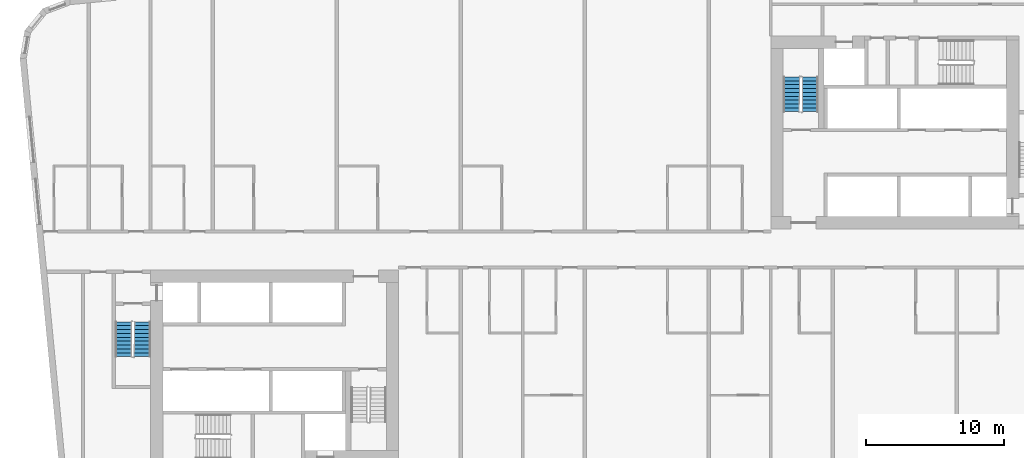
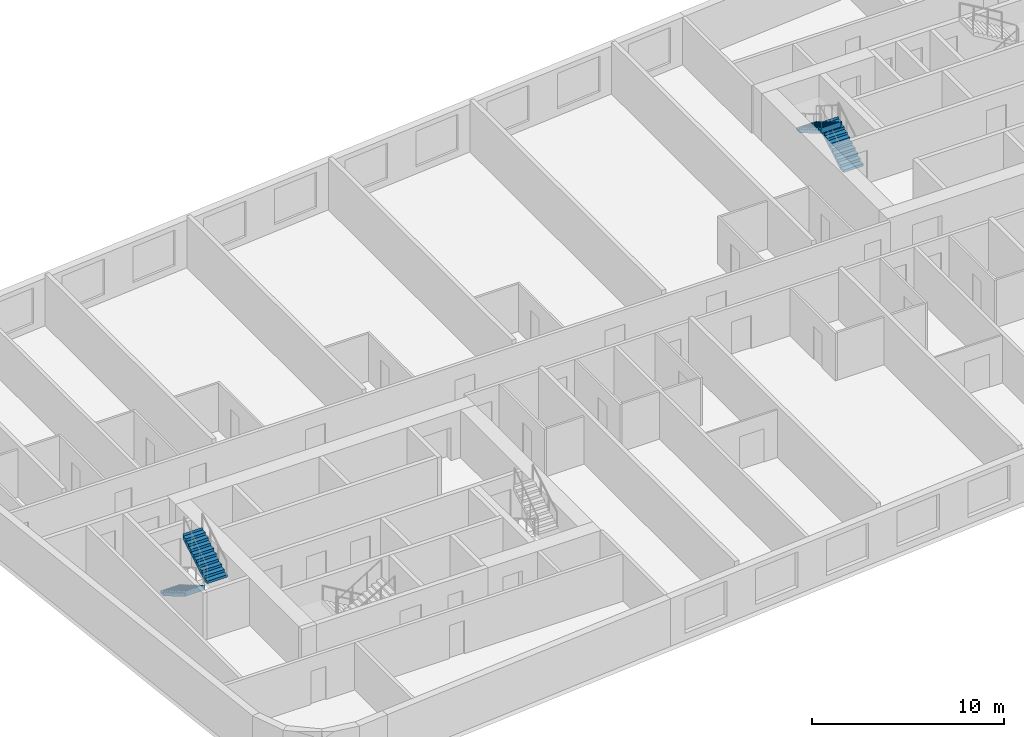
# One storey, part 10 of 12: 4 stair flights, 2 elements without a shape of their own.
"""IFC4 building model written with IfcOpenShell, lengths in metres."""

from ifc_helpers import new_model, si_unit, direction, frame, origin, place, context, subcontext, project, spatial, faceted_brep, material, type_object, element, aggregate, save


model = new_model("IFC4")

# Units and contexts
model_context = context("Model", 3, precision=1e-05, world=origin(), true_north=direction((0.0, 1.0)))
body_context = subcontext(model_context, "Body", "Model", "MODEL_VIEW")
ifc_project = project(units=[si_unit("LENGTHUNIT", "METRE"), si_unit("AREAUNIT", "SQUARE_METRE"), si_unit("VOLUMEUNIT", "CUBIC_METRE"), si_unit("PLANEANGLEUNIT", "RADIAN"), si_unit("MASSUNIT", "GRAM", prefix="KILO")], contexts=[model_context])

# Site, building, storey
site_placement = place(None, origin())
site = spatial("IfcSite", under=ifc_project, at=site_placement, CompositionType="ELEMENT")
building_placement = place(site_placement, origin())
building = spatial("IfcBuilding", under=site, at=building_placement, Name="Kajstack Hotel Tower", CompositionType="ELEMENT")
storey_placement = place(building_placement, frame((0.0, 0.0, 117.39990234375)))
storey = spatial("IfcBuildingStorey", under=building, at=storey_placement, Name="L25", CompositionType="ELEMENT", Elevation=117.39990234375)

# Stair, stair flights
ifc_material = material(Name="Concrete C40/50", Category="concrete")
stair_type = type_object("IfcStairType", Name="Exit stair 1200", PredefinedType="HALF_TURN_STAIR", material=ifc_material)
stair_1_placement = place(storey_placement, origin())
stair_1 = element("IfcStair", 1, at=stair_1_placement, inside=storey, type_object=stair_type, Name="L25 stair W1", PredefinedType="HALF_TURN_STAIR")
stair_flight_type = type_object("IfcStairFlightType", Name="Exit stair flight 1200", PredefinedType="STRAIGHT", material=ifc_material)
stair_flight_1_placement = place(storey_placement, frame((-33.449951171875, -5.25, 0.0), z_axis=(0.0, 0.0, 1.0), x_axis=(0.0, -1.0, 0.0)))
stair_flight_1 = element("IfcStairFlight", 2, at=stair_flight_1_placement, type_object=stair_flight_type, Name="W1 flight 1", NumberOfRisers=10, NumberOfTreads=9, PredefinedType="STRAIGHT", RiserHeight=0.165, TreadLength=0.28, context=body_context, shape_type="Brep", body=[
    faceted_brep([(0.295654296875, -0.60009765625, 0.0), (2.5205078125, -0.60009765625, 1.31103515625), (2.5205078125, -0.60009765625, 1.64990234375), (2.52001953125, -0.60009765625, 1.64990234375), (2.52001953125, -0.60009765625, 1.485107421875), (2.239990234375, -0.60009765625, 1.485107421875), (2.239990234375, -0.60009765625, 1.320068359375), (1.9599609375, -0.60009765625, 1.320068359375), (1.9599609375, -0.60009765625, 1.155029296875), (1.679931640625, -0.60009765625, 1.155029296875), (1.679931640625, -0.60009765625, 0.989990234375), (1.39990234375, -0.60009765625, 0.989990234375), (1.39990234375, -0.60009765625, 0.824951171875), (1.1201171875, -0.60009765625, 0.824951171875), (1.1201171875, -0.60009765625, 0.659912109375), (0.840087890625, -0.60009765625, 0.659912109375), (0.840087890625, -0.60009765625, 0.4951171875), (0.56005859375, -0.60009765625, 0.4951171875), (0.56005859375, -0.60009765625, 0.330078125), (0.280029296875, -0.60009765625, 0.330078125), (0.280029296875, -0.60009765625, 0.1650390625), (-0.00048828125, -0.60009765625, 0.1650390625), (-0.00048828125, -0.60009765625, 0.0), (-0.00048828125, 0.60009765625, 0.0), (-0.00048828125, 0.60009765625, 0.1650390625), (0.280029296875, 0.60009765625, 0.1650390625), (0.280029296875, 0.60009765625, 0.330078125), (0.56005859375, 0.60009765625, 0.330078125), (0.56005859375, 0.60009765625, 0.4951171875), (0.840087890625, 0.60009765625, 0.4951171875), (0.840087890625, 0.60009765625, 0.659912109375), (1.1201171875, 0.60009765625, 0.659912109375), (1.1201171875, 0.60009765625, 0.824951171875), (1.39990234375, 0.60009765625, 0.824951171875), (1.39990234375, 0.60009765625, 0.989990234375), (1.679931640625, 0.60009765625, 0.989990234375), (1.679931640625, 0.60009765625, 1.155029296875), (1.9599609375, 0.60009765625, 1.155029296875), (1.9599609375, 0.60009765625, 1.320068359375), (2.239990234375, 0.60009765625, 1.320068359375), (2.239990234375, 0.60009765625, 1.485107421875), (2.52001953125, 0.60009765625, 1.485107421875), (2.52001953125, 0.60009765625, 1.64990234375), (2.5205078125, 0.60009765625, 1.64990234375), (2.5205078125, 0.60009765625, 1.31103515625), (0.295654296875, 0.60009765625, 0.0), (-0.00048828125, -0.300048828125, 0.1650390625), (-0.00048828125, 0.0, 0.1650390625), (-0.00048828125, 0.300048828125, 0.1650390625), (-0.00048828125, 0.300048828125, 0.0), (-0.00048828125, 0.0, 0.0), (-0.00048828125, -0.300048828125, 0.0), (0.280029296875, -0.300048828125, 0.1650390625), (0.280029296875, 0.0, 0.1650390625), (0.280029296875, 0.300048828125, 0.1650390625), (0.280029296875, -0.300048828125, 0.330078125), (0.280029296875, 0.0, 0.330078125), (0.280029296875, 0.300048828125, 0.330078125), (0.56005859375, -0.300048828125, 0.330078125), (0.56005859375, 0.0, 0.330078125), (0.56005859375, 0.300048828125, 0.330078125), (0.56005859375, -0.300048828125, 0.4951171875), (0.56005859375, 0.0, 0.4951171875), (0.56005859375, 0.300048828125, 0.4951171875), (0.840087890625, -0.300048828125, 0.4951171875), (0.840087890625, 0.0, 0.4951171875), (0.840087890625, 0.300048828125, 0.4951171875), (0.840087890625, -0.300048828125, 0.659912109375), (0.840087890625, 0.0, 0.659912109375), (0.840087890625, 0.300048828125, 0.659912109375), (1.1201171875, -0.300048828125, 0.659912109375), (1.1201171875, 0.0, 0.659912109375), (1.1201171875, 0.300048828125, 0.659912109375), (1.1201171875, -0.300048828125, 0.824951171875), (1.1201171875, 0.0, 0.824951171875), (1.1201171875, 0.300048828125, 0.824951171875), (1.39990234375, -0.300048828125, 0.824951171875), (1.39990234375, 0.0, 0.824951171875), (1.39990234375, 0.300048828125, 0.824951171875), (1.39990234375, -0.300048828125, 0.989990234375), (1.39990234375, 0.0, 0.989990234375), (1.39990234375, 0.300048828125, 0.989990234375), (1.679931640625, -0.300048828125, 0.989990234375), (1.679931640625, 0.0, 0.989990234375), (1.679931640625, 0.300048828125, 0.989990234375), (1.679931640625, -0.300048828125, 1.155029296875), (1.679931640625, 0.0, 1.155029296875), (1.679931640625, 0.300048828125, 1.155029296875), (1.9599609375, -0.300048828125, 1.155029296875), (1.9599609375, 0.0, 1.155029296875), (1.9599609375, 0.300048828125, 1.155029296875), (1.9599609375, -0.300048828125, 1.320068359375), (1.9599609375, 0.0, 1.320068359375), (1.9599609375, 0.300048828125, 1.320068359375), (2.239990234375, -0.300048828125, 1.320068359375), (2.239990234375, 0.0, 1.320068359375), (2.239990234375, 0.300048828125, 1.320068359375), (2.239990234375, -0.300048828125, 1.485107421875), (2.239990234375, 0.0, 1.485107421875), (2.239990234375, 0.300048828125, 1.485107421875), (2.52001953125, -0.300048828125, 1.485107421875), (2.52001953125, 0.0, 1.485107421875), (2.52001953125, 0.300048828125, 1.485107421875), (2.52001953125, -0.300048828125, 1.64990234375), (2.52001953125, 0.0, 1.64990234375), (2.52001953125, 0.300048828125, 1.64990234375), (2.5205078125, -0.300048828125, 1.64990234375), (2.5205078125, 0.0, 1.64990234375), (2.5205078125, 0.300048828125, 1.64990234375), (2.5205078125, -0.300048828125, 1.31103515625), (2.5205078125, 0.0, 1.31103515625), (2.5205078125, 0.300048828125, 1.31103515625), (0.295654296875, -0.300048828125, 0.0), (0.295654296875, 0.0, 0.0), (0.295654296875, 0.300048828125, 0.0)], [[[0, 1, 2, 3, 4, 5, 6, 7, 8, 9, 10, 11, 12, 13, 14, 15, 16, 17, 18, 19, 20, 21, 22]], [[23, 24, 25, 26, 27, 28, 29, 30, 31, 32, 33, 34, 35, 36, 37, 38, 39, 40, 41, 42, 43, 44, 45]], [[21, 46, 47, 48, 24, 23, 49, 50, 51, 22]], [[20, 52, 53, 54, 25, 24, 48, 47, 46, 21]], [[19, 55, 56, 57, 26, 25, 54, 53, 52, 20]], [[18, 58, 59, 60, 27, 26, 57, 56, 55, 19]], [[17, 61, 62, 63, 28, 27, 60, 59, 58, 18]], [[16, 64, 65, 66, 29, 28, 63, 62, 61, 17]], [[15, 67, 68, 69, 30, 29, 66, 65, 64, 16]], [[14, 70, 71, 72, 31, 30, 69, 68, 67, 15]], [[13, 73, 74, 75, 32, 31, 72, 71, 70, 14]], [[12, 76, 77, 78, 33, 32, 75, 74, 73, 13]], [[11, 79, 80, 81, 34, 33, 78, 77, 76, 12]], [[10, 82, 83, 84, 35, 34, 81, 80, 79, 11]], [[9, 85, 86, 87, 36, 35, 84, 83, 82, 10]], [[8, 88, 89, 90, 37, 36, 87, 86, 85, 9]], [[7, 91, 92, 93, 38, 37, 90, 89, 88, 8]], [[6, 94, 95, 96, 39, 38, 93, 92, 91, 7]], [[5, 97, 98, 99, 40, 39, 96, 95, 94, 6]], [[4, 100, 101, 102, 41, 40, 99, 98, 97, 5]], [[3, 103, 104, 105, 42, 41, 102, 101, 100, 4]], [[2, 106, 107, 108, 43, 42, 105, 104, 103, 3]], [[1, 109, 110, 111, 44, 43, 108, 107, 106, 2]], [[0, 112, 113, 114, 45, 44, 111, 110, 109, 1]], [[22, 51, 50, 49, 23, 45, 114, 113, 112, 0]]]),
])
stair_flight_2_placement = place(storey_placement, frame((-32.10009765625, -7.77001953125, 1.650146484375), z_axis=(0.0, 0.0, 1.0), x_axis=(0.0, 1.0, 0.0)))
stair_flight_2 = element("IfcStairFlight", 3, at=stair_flight_2_placement, type_object=stair_flight_type, Name="W1 flight 2", NumberOfRisers=10, NumberOfTreads=9, PredefinedType="STRAIGHT", RiserHeight=0.165, TreadLength=0.28, context=body_context, shape_type="Brep", body=[
    faceted_brep([(0.295654296875, -0.60009765625, 0.0), (2.5205078125, -0.60009765625, 1.31103515625), (2.5205078125, -0.60009765625, 1.64990234375), (2.52001953125, -0.60009765625, 1.64990234375), (2.52001953125, -0.60009765625, 1.485107421875), (2.239990234375, -0.60009765625, 1.485107421875), (2.239990234375, -0.60009765625, 1.320068359375), (1.9599609375, -0.60009765625, 1.320068359375), (1.9599609375, -0.60009765625, 1.155029296875), (1.679931640625, -0.60009765625, 1.155029296875), (1.679931640625, -0.60009765625, 0.989990234375), (1.39990234375, -0.60009765625, 0.989990234375), (1.39990234375, -0.60009765625, 0.824951171875), (1.1201171875, -0.60009765625, 0.824951171875), (1.1201171875, -0.60009765625, 0.659912109375), (0.840087890625, -0.60009765625, 0.659912109375), (0.840087890625, -0.60009765625, 0.4951171875), (0.56005859375, -0.60009765625, 0.4951171875), (0.56005859375, -0.60009765625, 0.330078125), (0.280029296875, -0.60009765625, 0.330078125), (0.280029296875, -0.60009765625, 0.1650390625), (-0.00048828125, -0.60009765625, 0.1650390625), (-0.00048828125, -0.60009765625, 0.0), (-0.00048828125, 0.60009765625, 0.0), (-0.00048828125, 0.60009765625, 0.1650390625), (0.280029296875, 0.60009765625, 0.1650390625), (0.280029296875, 0.60009765625, 0.330078125), (0.56005859375, 0.60009765625, 0.330078125), (0.56005859375, 0.60009765625, 0.4951171875), (0.840087890625, 0.60009765625, 0.4951171875), (0.840087890625, 0.60009765625, 0.659912109375), (1.1201171875, 0.60009765625, 0.659912109375), (1.1201171875, 0.60009765625, 0.824951171875), (1.39990234375, 0.60009765625, 0.824951171875), (1.39990234375, 0.60009765625, 0.989990234375), (1.679931640625, 0.60009765625, 0.989990234375), (1.679931640625, 0.60009765625, 1.155029296875), (1.9599609375, 0.60009765625, 1.155029296875), (1.9599609375, 0.60009765625, 1.320068359375), (2.239990234375, 0.60009765625, 1.320068359375), (2.239990234375, 0.60009765625, 1.485107421875), (2.52001953125, 0.60009765625, 1.485107421875), (2.52001953125, 0.60009765625, 1.64990234375), (2.5205078125, 0.60009765625, 1.64990234375), (2.5205078125, 0.60009765625, 1.31103515625), (0.295654296875, 0.60009765625, 0.0), (-0.00048828125, -0.300048828125, 0.1650390625), (-0.00048828125, 0.0, 0.1650390625), (-0.00048828125, 0.300048828125, 0.1650390625), (-0.00048828125, 0.300048828125, 0.0), (-0.00048828125, 0.0, 0.0), (-0.00048828125, -0.300048828125, 0.0), (0.280029296875, -0.300048828125, 0.1650390625), (0.280029296875, 0.0, 0.1650390625), (0.280029296875, 0.300048828125, 0.1650390625), (0.280029296875, -0.300048828125, 0.330078125), (0.280029296875, 0.0, 0.330078125), (0.280029296875, 0.300048828125, 0.330078125), (0.56005859375, -0.300048828125, 0.330078125), (0.56005859375, 0.0, 0.330078125), (0.56005859375, 0.300048828125, 0.330078125), (0.56005859375, -0.300048828125, 0.4951171875), (0.56005859375, 0.0, 0.4951171875), (0.56005859375, 0.300048828125, 0.4951171875), (0.840087890625, -0.300048828125, 0.4951171875), (0.840087890625, 0.0, 0.4951171875), (0.840087890625, 0.300048828125, 0.4951171875), (0.840087890625, -0.300048828125, 0.659912109375), (0.840087890625, 0.0, 0.659912109375), (0.840087890625, 0.300048828125, 0.659912109375), (1.1201171875, -0.300048828125, 0.659912109375), (1.1201171875, 0.0, 0.659912109375), (1.1201171875, 0.300048828125, 0.659912109375), (1.1201171875, -0.300048828125, 0.824951171875), (1.1201171875, 0.0, 0.824951171875), (1.1201171875, 0.300048828125, 0.824951171875), (1.39990234375, -0.300048828125, 0.824951171875), (1.39990234375, 0.0, 0.824951171875), (1.39990234375, 0.300048828125, 0.824951171875), (1.39990234375, -0.300048828125, 0.989990234375), (1.39990234375, 0.0, 0.989990234375), (1.39990234375, 0.300048828125, 0.989990234375), (1.679931640625, -0.300048828125, 0.989990234375), (1.679931640625, 0.0, 0.989990234375), (1.679931640625, 0.300048828125, 0.989990234375), (1.679931640625, -0.300048828125, 1.155029296875), (1.679931640625, 0.0, 1.155029296875), (1.679931640625, 0.300048828125, 1.155029296875), (1.9599609375, -0.300048828125, 1.155029296875), (1.9599609375, 0.0, 1.155029296875), (1.9599609375, 0.300048828125, 1.155029296875), (1.9599609375, -0.300048828125, 1.320068359375), (1.9599609375, 0.0, 1.320068359375), (1.9599609375, 0.300048828125, 1.320068359375), (2.239990234375, -0.300048828125, 1.320068359375), (2.239990234375, 0.0, 1.320068359375), (2.239990234375, 0.300048828125, 1.320068359375), (2.239990234375, -0.300048828125, 1.485107421875), (2.239990234375, 0.0, 1.485107421875), (2.239990234375, 0.300048828125, 1.485107421875), (2.52001953125, -0.300048828125, 1.485107421875), (2.52001953125, 0.0, 1.485107421875), (2.52001953125, 0.300048828125, 1.485107421875), (2.52001953125, -0.300048828125, 1.64990234375), (2.52001953125, 0.0, 1.64990234375), (2.52001953125, 0.300048828125, 1.64990234375), (2.5205078125, -0.300048828125, 1.64990234375), (2.5205078125, 0.0, 1.64990234375), (2.5205078125, 0.300048828125, 1.64990234375), (2.5205078125, -0.300048828125, 1.31103515625), (2.5205078125, 0.0, 1.31103515625), (2.5205078125, 0.300048828125, 1.31103515625), (0.295654296875, -0.300048828125, 0.0), (0.295654296875, 0.0, 0.0), (0.295654296875, 0.300048828125, 0.0)], [[[0, 1, 2, 3, 4, 5, 6, 7, 8, 9, 10, 11, 12, 13, 14, 15, 16, 17, 18, 19, 20, 21, 22]], [[23, 24, 25, 26, 27, 28, 29, 30, 31, 32, 33, 34, 35, 36, 37, 38, 39, 40, 41, 42, 43, 44, 45]], [[21, 46, 47, 48, 24, 23, 49, 50, 51, 22]], [[20, 52, 53, 54, 25, 24, 48, 47, 46, 21]], [[19, 55, 56, 57, 26, 25, 54, 53, 52, 20]], [[18, 58, 59, 60, 27, 26, 57, 56, 55, 19]], [[17, 61, 62, 63, 28, 27, 60, 59, 58, 18]], [[16, 64, 65, 66, 29, 28, 63, 62, 61, 17]], [[15, 67, 68, 69, 30, 29, 66, 65, 64, 16]], [[14, 70, 71, 72, 31, 30, 69, 68, 67, 15]], [[13, 73, 74, 75, 32, 31, 72, 71, 70, 14]], [[12, 76, 77, 78, 33, 32, 75, 74, 73, 13]], [[11, 79, 80, 81, 34, 33, 78, 77, 76, 12]], [[10, 82, 83, 84, 35, 34, 81, 80, 79, 11]], [[9, 85, 86, 87, 36, 35, 84, 83, 82, 10]], [[8, 88, 89, 90, 37, 36, 87, 86, 85, 9]], [[7, 91, 92, 93, 38, 37, 90, 89, 88, 8]], [[6, 94, 95, 96, 39, 38, 93, 92, 91, 7]], [[5, 97, 98, 99, 40, 39, 96, 95, 94, 6]], [[4, 100, 101, 102, 41, 40, 99, 98, 97, 5]], [[3, 103, 104, 105, 42, 41, 102, 101, 100, 4]], [[2, 106, 107, 108, 43, 42, 105, 104, 103, 3]], [[1, 109, 110, 111, 44, 43, 108, 107, 106, 2]], [[0, 112, 113, 114, 45, 44, 111, 110, 109, 1]], [[22, 51, 50, 49, 23, 45, 114, 113, 112, 0]]]),
])
aggregate(stair_1, [stair_flight_1, stair_flight_2])

stair_2_placement = place(storey_placement, origin())
stair_2 = element("IfcStair", 4, at=stair_2_placement, inside=storey, type_object=stair_type, Name="L25 stair E2", PredefinedType="HALF_TURN_STAIR")
stair_flight_3_placement = place(storey_placement, frame((16.35009765625, 10.0, 0.0), z_axis=(0.0, 0.0, 1.0), x_axis=(0.0, 1.0, 0.0)))
stair_flight_3 = element("IfcStairFlight", 5, at=stair_flight_3_placement, type_object=stair_flight_type, Name="E2 flight 1", NumberOfRisers=10, NumberOfTreads=9, PredefinedType="STRAIGHT", RiserHeight=0.165, TreadLength=0.28, context=body_context, shape_type="Brep", body=[
    faceted_brep([(0.295654296875, -0.60009765625, 0.0), (2.5205078125, -0.60009765625, 1.31103515625), (2.5205078125, -0.60009765625, 1.64990234375), (2.52001953125, -0.60009765625, 1.64990234375), (2.52001953125, -0.60009765625, 1.485107421875), (2.239990234375, -0.60009765625, 1.485107421875), (2.239990234375, -0.60009765625, 1.320068359375), (1.9599609375, -0.60009765625, 1.320068359375), (1.9599609375, -0.60009765625, 1.155029296875), (1.679931640625, -0.60009765625, 1.155029296875), (1.679931640625, -0.60009765625, 0.989990234375), (1.39990234375, -0.60009765625, 0.989990234375), (1.39990234375, -0.60009765625, 0.824951171875), (1.1201171875, -0.60009765625, 0.824951171875), (1.1201171875, -0.60009765625, 0.659912109375), (0.840087890625, -0.60009765625, 0.659912109375), (0.840087890625, -0.60009765625, 0.4951171875), (0.56005859375, -0.60009765625, 0.4951171875), (0.56005859375, -0.60009765625, 0.330078125), (0.280029296875, -0.60009765625, 0.330078125), (0.280029296875, -0.60009765625, 0.1650390625), (-0.00048828125, -0.60009765625, 0.1650390625), (-0.00048828125, -0.60009765625, 0.0), (-0.00048828125, 0.60009765625, 0.0), (-0.00048828125, 0.60009765625, 0.1650390625), (0.280029296875, 0.60009765625, 0.1650390625), (0.280029296875, 0.60009765625, 0.330078125), (0.56005859375, 0.60009765625, 0.330078125), (0.56005859375, 0.60009765625, 0.4951171875), (0.840087890625, 0.60009765625, 0.4951171875), (0.840087890625, 0.60009765625, 0.659912109375), (1.1201171875, 0.60009765625, 0.659912109375), (1.1201171875, 0.60009765625, 0.824951171875), (1.39990234375, 0.60009765625, 0.824951171875), (1.39990234375, 0.60009765625, 0.989990234375), (1.679931640625, 0.60009765625, 0.989990234375), (1.679931640625, 0.60009765625, 1.155029296875), (1.9599609375, 0.60009765625, 1.155029296875), (1.9599609375, 0.60009765625, 1.320068359375), (2.239990234375, 0.60009765625, 1.320068359375), (2.239990234375, 0.60009765625, 1.485107421875), (2.52001953125, 0.60009765625, 1.485107421875), (2.52001953125, 0.60009765625, 1.64990234375), (2.5205078125, 0.60009765625, 1.64990234375), (2.5205078125, 0.60009765625, 1.31103515625), (0.295654296875, 0.60009765625, 0.0), (-0.00048828125, -0.300048828125, 0.1650390625), (-0.00048828125, 0.0, 0.1650390625), (-0.00048828125, 0.300048828125, 0.1650390625), (-0.00048828125, 0.300048828125, 0.0), (-0.00048828125, 0.0, 0.0), (-0.00048828125, -0.300048828125, 0.0), (0.280029296875, -0.300048828125, 0.1650390625), (0.280029296875, 0.0, 0.1650390625), (0.280029296875, 0.300048828125, 0.1650390625), (0.280029296875, -0.300048828125, 0.330078125), (0.280029296875, 0.0, 0.330078125), (0.280029296875, 0.300048828125, 0.330078125), (0.56005859375, -0.300048828125, 0.330078125), (0.56005859375, 0.0, 0.330078125), (0.56005859375, 0.300048828125, 0.330078125), (0.56005859375, -0.300048828125, 0.4951171875), (0.56005859375, 0.0, 0.4951171875), (0.56005859375, 0.300048828125, 0.4951171875), (0.840087890625, -0.300048828125, 0.4951171875), (0.840087890625, 0.0, 0.4951171875), (0.840087890625, 0.300048828125, 0.4951171875), (0.840087890625, -0.300048828125, 0.659912109375), (0.840087890625, 0.0, 0.659912109375), (0.840087890625, 0.300048828125, 0.659912109375), (1.1201171875, -0.300048828125, 0.659912109375), (1.1201171875, 0.0, 0.659912109375), (1.1201171875, 0.300048828125, 0.659912109375), (1.1201171875, -0.300048828125, 0.824951171875), (1.1201171875, 0.0, 0.824951171875), (1.1201171875, 0.300048828125, 0.824951171875), (1.39990234375, -0.300048828125, 0.824951171875), (1.39990234375, 0.0, 0.824951171875), (1.39990234375, 0.300048828125, 0.824951171875), (1.39990234375, -0.300048828125, 0.989990234375), (1.39990234375, 0.0, 0.989990234375), (1.39990234375, 0.300048828125, 0.989990234375), (1.679931640625, -0.300048828125, 0.989990234375), (1.679931640625, 0.0, 0.989990234375), (1.679931640625, 0.300048828125, 0.989990234375), (1.679931640625, -0.300048828125, 1.155029296875), (1.679931640625, 0.0, 1.155029296875), (1.679931640625, 0.300048828125, 1.155029296875), (1.9599609375, -0.300048828125, 1.155029296875), (1.9599609375, 0.0, 1.155029296875), (1.9599609375, 0.300048828125, 1.155029296875), (1.9599609375, -0.300048828125, 1.320068359375), (1.9599609375, 0.0, 1.320068359375), (1.9599609375, 0.300048828125, 1.320068359375), (2.239990234375, -0.300048828125, 1.320068359375), (2.239990234375, 0.0, 1.320068359375), (2.239990234375, 0.300048828125, 1.320068359375), (2.239990234375, -0.300048828125, 1.485107421875), (2.239990234375, 0.0, 1.485107421875), (2.239990234375, 0.300048828125, 1.485107421875), (2.52001953125, -0.300048828125, 1.485107421875), (2.52001953125, 0.0, 1.485107421875), (2.52001953125, 0.300048828125, 1.485107421875), (2.52001953125, -0.300048828125, 1.64990234375), (2.52001953125, 0.0, 1.64990234375), (2.52001953125, 0.300048828125, 1.64990234375), (2.5205078125, -0.300048828125, 1.64990234375), (2.5205078125, 0.0, 1.64990234375), (2.5205078125, 0.300048828125, 1.64990234375), (2.5205078125, -0.300048828125, 1.31103515625), (2.5205078125, 0.0, 1.31103515625), (2.5205078125, 0.300048828125, 1.31103515625), (0.295654296875, -0.300048828125, 0.0), (0.295654296875, 0.0, 0.0), (0.295654296875, 0.300048828125, 0.0)], [[[0, 1, 2, 3, 4, 5, 6, 7, 8, 9, 10, 11, 12, 13, 14, 15, 16, 17, 18, 19, 20, 21, 22]], [[23, 24, 25, 26, 27, 28, 29, 30, 31, 32, 33, 34, 35, 36, 37, 38, 39, 40, 41, 42, 43, 44, 45]], [[21, 46, 47, 48, 24, 23, 49, 50, 51, 22]], [[20, 52, 53, 54, 25, 24, 48, 47, 46, 21]], [[19, 55, 56, 57, 26, 25, 54, 53, 52, 20]], [[18, 58, 59, 60, 27, 26, 57, 56, 55, 19]], [[17, 61, 62, 63, 28, 27, 60, 59, 58, 18]], [[16, 64, 65, 66, 29, 28, 63, 62, 61, 17]], [[15, 67, 68, 69, 30, 29, 66, 65, 64, 16]], [[14, 70, 71, 72, 31, 30, 69, 68, 67, 15]], [[13, 73, 74, 75, 32, 31, 72, 71, 70, 14]], [[12, 76, 77, 78, 33, 32, 75, 74, 73, 13]], [[11, 79, 80, 81, 34, 33, 78, 77, 76, 12]], [[10, 82, 83, 84, 35, 34, 81, 80, 79, 11]], [[9, 85, 86, 87, 36, 35, 84, 83, 82, 10]], [[8, 88, 89, 90, 37, 36, 87, 86, 85, 9]], [[7, 91, 92, 93, 38, 37, 90, 89, 88, 8]], [[6, 94, 95, 96, 39, 38, 93, 92, 91, 7]], [[5, 97, 98, 99, 40, 39, 96, 95, 94, 6]], [[4, 100, 101, 102, 41, 40, 99, 98, 97, 5]], [[3, 103, 104, 105, 42, 41, 102, 101, 100, 4]], [[2, 106, 107, 108, 43, 42, 105, 104, 103, 3]], [[1, 109, 110, 111, 44, 43, 108, 107, 106, 2]], [[0, 112, 113, 114, 45, 44, 111, 110, 109, 1]], [[22, 51, 50, 49, 23, 45, 114, 113, 112, 0]]]),
])
stair_flight_4_placement = place(storey_placement, frame((15.0, 12.52001953125, 1.650146484375), z_axis=(0.0, 0.0, 1.0), x_axis=(0.0, -1.0, 0.0)))
stair_flight_4 = element("IfcStairFlight", 6, at=stair_flight_4_placement, type_object=stair_flight_type, Name="E2 flight 2", NumberOfRisers=10, NumberOfTreads=9, PredefinedType="STRAIGHT", RiserHeight=0.165, TreadLength=0.28, context=body_context, shape_type="Brep", body=[
    faceted_brep([(0.295654296875, -0.60009765625, 0.0), (2.5205078125, -0.60009765625, 1.31103515625), (2.5205078125, -0.60009765625, 1.64990234375), (2.52001953125, -0.60009765625, 1.64990234375), (2.52001953125, -0.60009765625, 1.485107421875), (2.239990234375, -0.60009765625, 1.485107421875), (2.239990234375, -0.60009765625, 1.320068359375), (1.9599609375, -0.60009765625, 1.320068359375), (1.9599609375, -0.60009765625, 1.155029296875), (1.679931640625, -0.60009765625, 1.155029296875), (1.679931640625, -0.60009765625, 0.989990234375), (1.39990234375, -0.60009765625, 0.989990234375), (1.39990234375, -0.60009765625, 0.824951171875), (1.1201171875, -0.60009765625, 0.824951171875), (1.1201171875, -0.60009765625, 0.659912109375), (0.840087890625, -0.60009765625, 0.659912109375), (0.840087890625, -0.60009765625, 0.4951171875), (0.56005859375, -0.60009765625, 0.4951171875), (0.56005859375, -0.60009765625, 0.330078125), (0.280029296875, -0.60009765625, 0.330078125), (0.280029296875, -0.60009765625, 0.1650390625), (-0.00048828125, -0.60009765625, 0.1650390625), (-0.00048828125, -0.60009765625, 0.0), (-0.00048828125, 0.60009765625, 0.0), (-0.00048828125, 0.60009765625, 0.1650390625), (0.280029296875, 0.60009765625, 0.1650390625), (0.280029296875, 0.60009765625, 0.330078125), (0.56005859375, 0.60009765625, 0.330078125), (0.56005859375, 0.60009765625, 0.4951171875), (0.840087890625, 0.60009765625, 0.4951171875), (0.840087890625, 0.60009765625, 0.659912109375), (1.1201171875, 0.60009765625, 0.659912109375), (1.1201171875, 0.60009765625, 0.824951171875), (1.39990234375, 0.60009765625, 0.824951171875), (1.39990234375, 0.60009765625, 0.989990234375), (1.679931640625, 0.60009765625, 0.989990234375), (1.679931640625, 0.60009765625, 1.155029296875), (1.9599609375, 0.60009765625, 1.155029296875), (1.9599609375, 0.60009765625, 1.320068359375), (2.239990234375, 0.60009765625, 1.320068359375), (2.239990234375, 0.60009765625, 1.485107421875), (2.52001953125, 0.60009765625, 1.485107421875), (2.52001953125, 0.60009765625, 1.64990234375), (2.5205078125, 0.60009765625, 1.64990234375), (2.5205078125, 0.60009765625, 1.31103515625), (0.295654296875, 0.60009765625, 0.0), (-0.00048828125, -0.300048828125, 0.1650390625), (-0.00048828125, 0.0, 0.1650390625), (-0.00048828125, 0.300048828125, 0.1650390625), (-0.00048828125, 0.300048828125, 0.0), (-0.00048828125, 0.0, 0.0), (-0.00048828125, -0.300048828125, 0.0), (0.280029296875, -0.300048828125, 0.1650390625), (0.280029296875, 0.0, 0.1650390625), (0.280029296875, 0.300048828125, 0.1650390625), (0.280029296875, -0.300048828125, 0.330078125), (0.280029296875, 0.0, 0.330078125), (0.280029296875, 0.300048828125, 0.330078125), (0.56005859375, -0.300048828125, 0.330078125), (0.56005859375, 0.0, 0.330078125), (0.56005859375, 0.300048828125, 0.330078125), (0.56005859375, -0.300048828125, 0.4951171875), (0.56005859375, 0.0, 0.4951171875), (0.56005859375, 0.300048828125, 0.4951171875), (0.840087890625, -0.300048828125, 0.4951171875), (0.840087890625, 0.0, 0.4951171875), (0.840087890625, 0.300048828125, 0.4951171875), (0.840087890625, -0.300048828125, 0.659912109375), (0.840087890625, 0.0, 0.659912109375), (0.840087890625, 0.300048828125, 0.659912109375), (1.1201171875, -0.300048828125, 0.659912109375), (1.1201171875, 0.0, 0.659912109375), (1.1201171875, 0.300048828125, 0.659912109375), (1.1201171875, -0.300048828125, 0.824951171875), (1.1201171875, 0.0, 0.824951171875), (1.1201171875, 0.300048828125, 0.824951171875), (1.39990234375, -0.300048828125, 0.824951171875), (1.39990234375, 0.0, 0.824951171875), (1.39990234375, 0.300048828125, 0.824951171875), (1.39990234375, -0.300048828125, 0.989990234375), (1.39990234375, 0.0, 0.989990234375), (1.39990234375, 0.300048828125, 0.989990234375), (1.679931640625, -0.300048828125, 0.989990234375), (1.679931640625, 0.0, 0.989990234375), (1.679931640625, 0.300048828125, 0.989990234375), (1.679931640625, -0.300048828125, 1.155029296875), (1.679931640625, 0.0, 1.155029296875), (1.679931640625, 0.300048828125, 1.155029296875), (1.9599609375, -0.300048828125, 1.155029296875), (1.9599609375, 0.0, 1.155029296875), (1.9599609375, 0.300048828125, 1.155029296875), (1.9599609375, -0.300048828125, 1.320068359375), (1.9599609375, 0.0, 1.320068359375), (1.9599609375, 0.300048828125, 1.320068359375), (2.239990234375, -0.300048828125, 1.320068359375), (2.239990234375, 0.0, 1.320068359375), (2.239990234375, 0.300048828125, 1.320068359375), (2.239990234375, -0.300048828125, 1.485107421875), (2.239990234375, 0.0, 1.485107421875), (2.239990234375, 0.300048828125, 1.485107421875), (2.52001953125, -0.300048828125, 1.485107421875), (2.52001953125, 0.0, 1.485107421875), (2.52001953125, 0.300048828125, 1.485107421875), (2.52001953125, -0.300048828125, 1.64990234375), (2.52001953125, 0.0, 1.64990234375), (2.52001953125, 0.300048828125, 1.64990234375), (2.5205078125, -0.300048828125, 1.64990234375), (2.5205078125, 0.0, 1.64990234375), (2.5205078125, 0.300048828125, 1.64990234375), (2.5205078125, -0.300048828125, 1.31103515625), (2.5205078125, 0.0, 1.31103515625), (2.5205078125, 0.300048828125, 1.31103515625), (0.295654296875, -0.300048828125, 0.0), (0.295654296875, 0.0, 0.0), (0.295654296875, 0.300048828125, 0.0)], [[[0, 1, 2, 3, 4, 5, 6, 7, 8, 9, 10, 11, 12, 13, 14, 15, 16, 17, 18, 19, 20, 21, 22]], [[23, 24, 25, 26, 27, 28, 29, 30, 31, 32, 33, 34, 35, 36, 37, 38, 39, 40, 41, 42, 43, 44, 45]], [[21, 46, 47, 48, 24, 23, 49, 50, 51, 22]], [[20, 52, 53, 54, 25, 24, 48, 47, 46, 21]], [[19, 55, 56, 57, 26, 25, 54, 53, 52, 20]], [[18, 58, 59, 60, 27, 26, 57, 56, 55, 19]], [[17, 61, 62, 63, 28, 27, 60, 59, 58, 18]], [[16, 64, 65, 66, 29, 28, 63, 62, 61, 17]], [[15, 67, 68, 69, 30, 29, 66, 65, 64, 16]], [[14, 70, 71, 72, 31, 30, 69, 68, 67, 15]], [[13, 73, 74, 75, 32, 31, 72, 71, 70, 14]], [[12, 76, 77, 78, 33, 32, 75, 74, 73, 13]], [[11, 79, 80, 81, 34, 33, 78, 77, 76, 12]], [[10, 82, 83, 84, 35, 34, 81, 80, 79, 11]], [[9, 85, 86, 87, 36, 35, 84, 83, 82, 10]], [[8, 88, 89, 90, 37, 36, 87, 86, 85, 9]], [[7, 91, 92, 93, 38, 37, 90, 89, 88, 8]], [[6, 94, 95, 96, 39, 38, 93, 92, 91, 7]], [[5, 97, 98, 99, 40, 39, 96, 95, 94, 6]], [[4, 100, 101, 102, 41, 40, 99, 98, 97, 5]], [[3, 103, 104, 105, 42, 41, 102, 101, 100, 4]], [[2, 106, 107, 108, 43, 42, 105, 104, 103, 3]], [[1, 109, 110, 111, 44, 43, 108, 107, 106, 2]], [[0, 112, 113, 114, 45, 44, 111, 110, 109, 1]], [[22, 51, 50, 49, 23, 45, 114, 113, 112, 0]]]),
])
aggregate(stair_2, [stair_flight_3, stair_flight_4])

save(model, "model.ifc")
